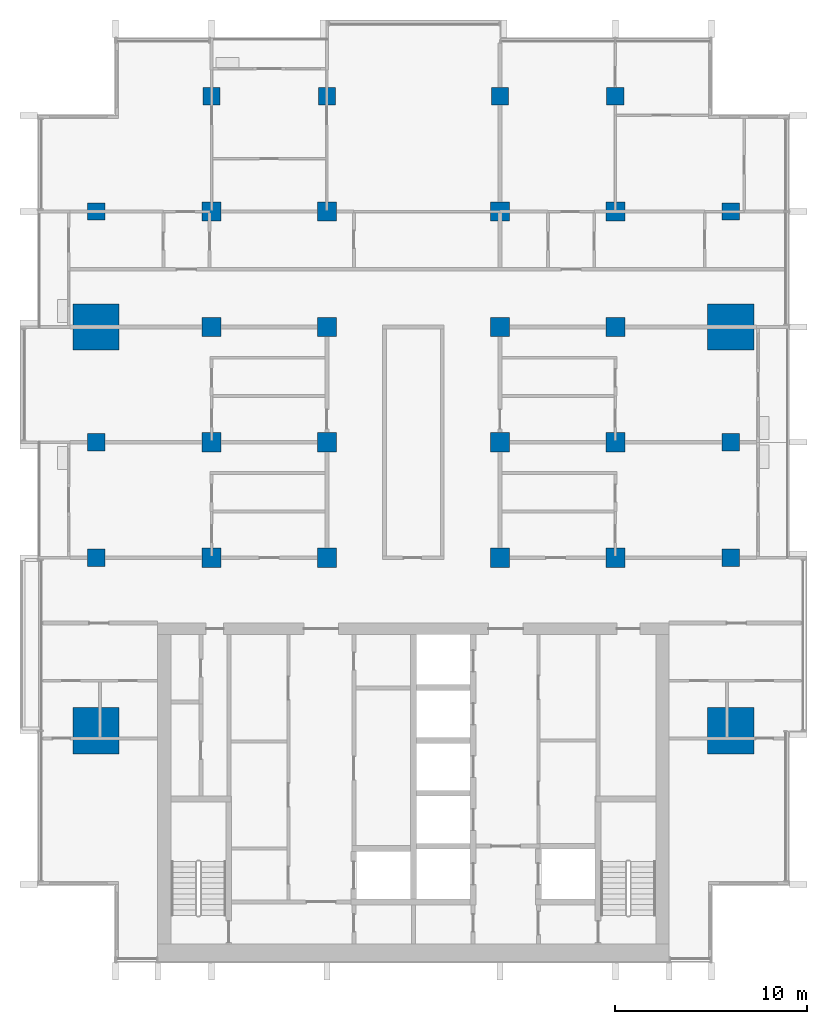
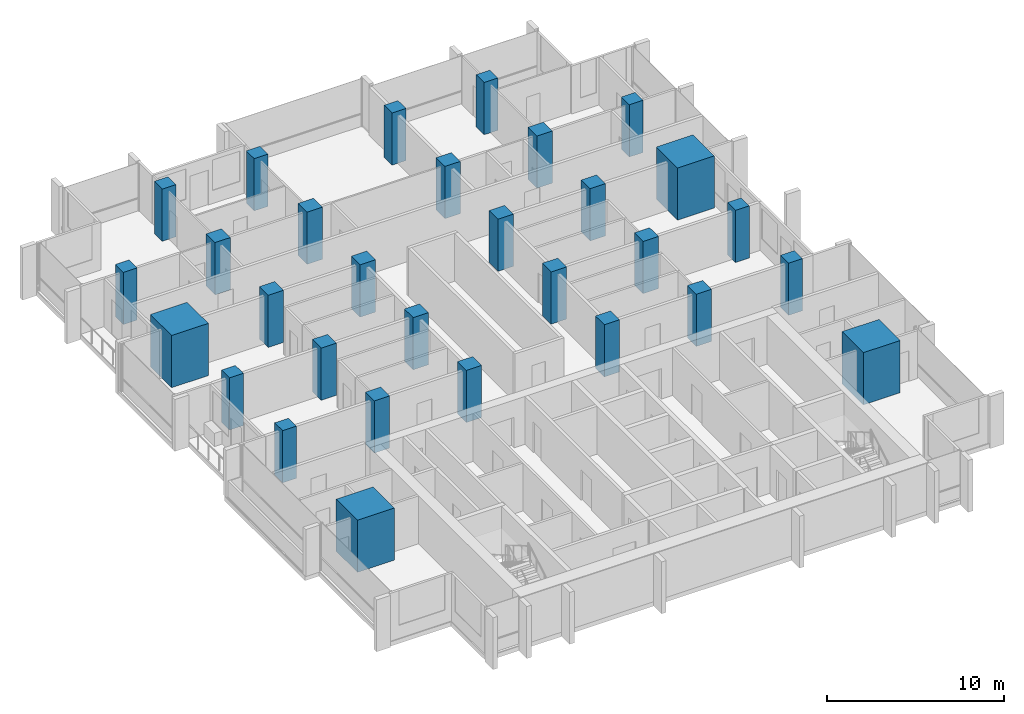
# One storey, part 1 of 17: 30 columns.
"""IFC4 building model written with IfcOpenShell, lengths in metres."""

from ifc_helpers import new_model, si_unit, direction, frame, origin, origin_2d, place, context, subcontext, project, spatial, rectangle, extrude, material, material_profile, profile_set, type_object, element, save


model = new_model("IFC4")

# Units and contexts
model_context = context("Model", 3, precision=1e-05, world=origin(), true_north=direction((0.0, 1.0)))
body_context = subcontext(model_context, "Body", "Model", "MODEL_VIEW")
ifc_project = project(units=[si_unit("LENGTHUNIT", "METRE"), si_unit("AREAUNIT", "SQUARE_METRE"), si_unit("VOLUMEUNIT", "CUBIC_METRE"), si_unit("PLANEANGLEUNIT", "RADIAN"), si_unit("MASSUNIT", "GRAM", prefix="KILO")], contexts=[model_context])

# Site, building, storey
site_placement = place(None, origin())
site = spatial("IfcSite", under=ifc_project, at=site_placement, CompositionType="ELEMENT")
building_placement = place(site_placement, origin())
building = spatial("IfcBuilding", under=site, at=building_placement, Name="Finial Court Residences", CompositionType="ELEMENT")
storey_placement = place(building_placement, frame((0.0, 0.0, 167.300048828125)))
storey = spatial("IfcBuildingStorey", under=building, at=storey_placement, Name="L41", CompositionType="ELEMENT", Elevation=167.300048828125)

# Columns
ifc_material = material(Name="Concrete C60/75", Category="concrete")
ifc_material_profile_1 = material_profile(ifc_material, rectangle(XDim=1.0, YDim=1.0, at=origin_2d()), Name="1000x1000")
ifc_profile_set_1 = profile_set([ifc_material_profile_1], Name="Concrete C60/75")
column_type_1 = type_object("IfcColumnType", Name="Interior column 1000x1000 Concrete C60/75", PredefinedType="COLUMN", material=ifc_profile_set_1)
for number, where, z_axis, x_axis, name in (
    (1, (-10.5, -4.5, 0.0), (0.0, 0.0, 1.0), (1.0, 0.0, 0.0), "S:COL:L41:D4"),
    (2, (-10.5, 1.5, 0.0), (0.0, 0.0, 1.0), (1.0, 0.0, 0.0), "S:COL:L41:D5"),
    (3, (-10.5, 7.5, 0.0), (0.0, 0.0, 1.0), (1.0, 0.0, 0.0), "S:COL:L41:D6"),
    (4, (-10.5, 13.5, 0.0), (0.0, 0.0, 1.0), (1.0, 0.0, 0.0), "S:COL:L41:D7"),
    (5, (-4.5, -4.5, 0.0), (0.0, 0.0, 1.0), (1.0, 0.0, 0.0), "S:COL:L41:E4"),
    (6, (-4.5, 1.5, 0.0), (0.0, 0.0, 1.0), (1.0, 0.0, 0.0), "S:COL:L41:E5"),
    (7, (-4.5, 7.5, 0.0), (0.0, 0.0, 1.0), (1.0, 0.0, 0.0), "S:COL:L41:E6"),
    (8, (-4.5, 13.5, 0.0), (0.0, 0.0, 1.0), (1.0, 0.0, 0.0), "S:COL:L41:E7"),
    (9, (4.5, -4.5, 0.0), (0.0, 0.0, 1.0), (1.0, 0.0, 0.0), "S:COL:L41:F4"),
    (10, (4.5, 1.5, 0.0), (0.0, 0.0, 1.0), (1.0, 0.0, 0.0), "S:COL:L41:F5"),
    (11, (4.5, 7.5, 0.0), (0.0, 0.0, 1.0), (1.0, 0.0, 0.0), "S:COL:L41:F6"),
    (12, (4.5, 13.5, 0.0), (0.0, 0.0, 1.0), (1.0, 0.0, 0.0), "S:COL:L41:F7"),
    (13, (10.5, -4.5, 0.0), (0.0, 0.0, 1.0), (1.0, 0.0, 0.0), "S:COL:L41:G4"),
    (14, (10.5, 1.5, 0.0), (0.0, 0.0, 1.0), (1.0, 0.0, 0.0), "S:COL:L41:G5"),
    (15, (10.5, 7.5, 0.0), (0.0, 0.0, 1.0), (1.0, 0.0, 0.0), "S:COL:L41:G6"),
    (16, (10.5, 13.5, 0.0), (0.0, 0.0, 1.0), (1.0, 0.0, 0.0), "S:COL:L41:G7"),
):
    element("IfcColumn", number, at=place(storey_placement, frame(where, z_axis=z_axis, x_axis=x_axis)), inside=storey, type_object=column_type_1, Name=name, PredefinedType="COLUMN", context=body_context, shape_type="SweptSolid", body=[
        extrude(rectangle(XDim=1.0, YDim=1.0, at=origin_2d()), origin(), (0.0, 0.0, 1.0), 3.599853515625),
    ])
ifc_material_profile_2 = material_profile(ifc_material, rectangle(XDim=2.39990234375, YDim=2.39990234375, at=origin_2d()), Name="2400x2400")
ifc_profile_set_2 = profile_set([ifc_material_profile_2], Name="Concrete C60/75")
column_type_2 = type_object("IfcColumnType", Name="Mega column 2400x2400 Concrete C60/75", PredefinedType="COLUMN", material=ifc_profile_set_2)
for number, where, z_axis, x_axis, name in (
    (17, (-16.5, -13.5, 0.0), (0.0, 0.0, 1.0), (1.0, 0.0, 0.0), "S:COL:L41:C3"),
    (18, (-16.5, 7.5, 0.0), (0.0, 0.0, 1.0), (1.0, 0.0, 0.0), "S:COL:L41:C6"),
    (19, (16.5, -13.5, 0.0), (0.0, 0.0, 1.0), (1.0, 0.0, 0.0), "S:COL:L41:H3"),
    (20, (16.5, 7.5, 0.0), (0.0, 0.0, 1.0), (1.0, 0.0, 0.0), "S:COL:L41:H6"),
):
    element("IfcColumn", number, at=place(storey_placement, frame(where, z_axis=z_axis, x_axis=x_axis)), inside=storey, type_object=column_type_2, Name=name, PredefinedType="COLUMN", context=body_context, shape_type="SweptSolid", body=[
        extrude(rectangle(XDim=2.39990234375, YDim=2.39990234375, at=origin_2d()), origin(), (0.0, 0.0, 1.0), 3.599853515625),
    ])
ifc_material_profile_3 = material_profile(ifc_material, rectangle(XDim=0.89990234375, YDim=0.89990234375, at=origin_2d()), Name="900x900")
ifc_profile_set_3 = profile_set([ifc_material_profile_3], Name="Concrete C60/75")
column_type_3 = type_object("IfcColumnType", Name="Perimeter column 900x900 Concrete C60/75", PredefinedType="COLUMN", material=ifc_profile_set_3)
for number, where, z_axis, x_axis, name in (
    (21, (-16.5, -4.5, 0.0), (0.0, 0.0, 1.0), (1.0, 0.0, 0.0), "S:COL:L41:C4"),
    (22, (-16.5, 1.5, 0.0), (0.0, 0.0, 1.0), (1.0, 0.0, 0.0), "S:COL:L41:C5"),
    (23, (-16.5, 13.5, 0.0), (0.0, 0.0, 1.0), (1.0, 0.0, 0.0), "S:COL:L41:C7"),
    (24, (-10.5, 19.5, 0.0), (0.0, 0.0, 1.0), (1.0, 0.0, 0.0), "S:COL:L41:D8"),
    (25, (-4.5, 19.5, 0.0), (0.0, 0.0, 1.0), (1.0, 0.0, 0.0), "S:COL:L41:E8"),
    (26, (4.5, 19.5, 0.0), (0.0, 0.0, 1.0), (1.0, 0.0, 0.0), "S:COL:L41:F8"),
    (27, (10.5, 19.5, 0.0), (0.0, 0.0, 1.0), (1.0, 0.0, 0.0), "S:COL:L41:G8"),
    (28, (16.5, -4.5, 0.0), (0.0, 0.0, 1.0), (1.0, 0.0, 0.0), "S:COL:L41:H4"),
    (29, (16.5, 1.5, 0.0), (0.0, 0.0, 1.0), (1.0, 0.0, 0.0), "S:COL:L41:H5"),
    (30, (16.5, 13.5, 0.0), (0.0, 0.0, 1.0), (1.0, 0.0, 0.0), "S:COL:L41:H7"),
):
    element("IfcColumn", number, at=place(storey_placement, frame(where, z_axis=z_axis, x_axis=x_axis)), inside=storey, type_object=column_type_3, Name=name, PredefinedType="COLUMN", context=body_context, shape_type="SweptSolid", body=[
        extrude(rectangle(XDim=0.89990234375, YDim=0.89990234375, at=origin_2d()), origin(), (0.0, 0.0, 1.0), 3.599853515625),
    ])

save(model, "model.ifc")
